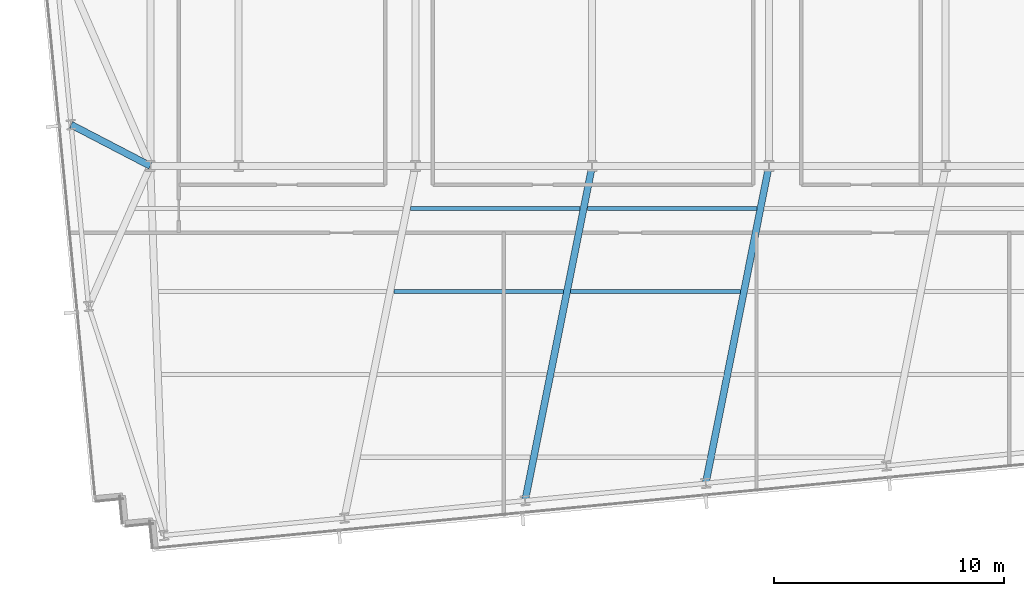
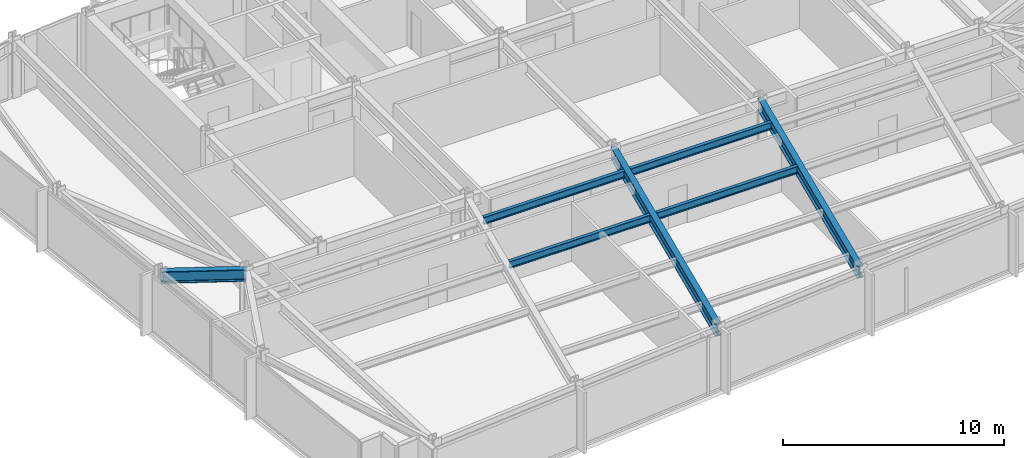
# One storey, part 5 of 32: 7 beams.
"""IFC4 building model written with IfcOpenShell, lengths in metres."""

from ifc_helpers import new_model, si_unit, direction, frame, origin, origin_2d, place, context, subcontext, project, spatial, i_section, extrude, material, material_profile, profile_set, type_object, element, save


model = new_model("IFC4")

# Units and contexts
model_context = context("Model", 3, precision=1e-05, world=origin(), true_north=direction((0.0, 1.0)))
body_context = subcontext(model_context, "Body", "Model", "MODEL_VIEW")
ifc_project = project(units=[si_unit("LENGTHUNIT", "METRE"), si_unit("AREAUNIT", "SQUARE_METRE"), si_unit("VOLUMEUNIT", "CUBIC_METRE"), si_unit("PLANEANGLEUNIT", "RADIAN"), si_unit("MASSUNIT", "GRAM", prefix="KILO")], contexts=[model_context])

# Site, building, storey
site_placement = place(None, origin())
site = spatial("IfcSite", under=ifc_project, at=site_placement, CompositionType="ELEMENT")
building_placement = place(site_placement, origin())
building = spatial("IfcBuilding", under=site, at=building_placement, Name="Yelkora Congress Tower", CompositionType="ELEMENT")
storey_placement = place(building_placement, frame((0.0, 0.0, 96.5)))
storey = spatial("IfcBuildingStorey", under=building, at=storey_placement, Name="L25", CompositionType="ELEMENT", Elevation=96.5)

# Beams
ifc_material = material(Name="Steel S355J2", Category="steel")
ifc_material_profile_1 = material_profile(ifc_material, i_section(OverallWidth=0.300048828125, OverallDepth=0.64990234375, WebThickness=0.01611328125, FlangeThickness=0.031005859375, FilletRadius=0.027099609375, at=origin_2d()), Name="HEB 650")
ifc_profile_set_1 = profile_set([ifc_material_profile_1], Name="Steel S355J2")
beam_type_1 = type_object("IfcBeamType", Name="BM-GIRD-HEB650", PredefinedType="BEAM", material=ifc_profile_set_1)
beam_1_placement = place(storey_placement, frame((35.48486328125, 10.656005859375, 2.85498046875), z_axis=(0.196521264673, 0.980499562739, 0.0), x_axis=(-0.980499562739, 0.196521264673, 0.0)))
element("IfcBeam", 1, at=beam_1_placement, inside=storey, type_object=beam_type_1, Name="L25 Primary Frame Girder S03", PredefinedType="BEAM", context=body_context, shape_type="SweptSolid", body=[
    extrude(i_section(OverallWidth=0.300048828125, OverallDepth=0.64990234375, WebThickness=0.01611328125, FlangeThickness=0.031005859375, FilletRadius=0.027099609375, at=origin_2d()), origin(), (0.0, 0.0, 1.0), 14.833251953125),
])
beam_2_placement = place(storey_placement, frame((43.334228515625, 11.411865234375, 2.85498046875), z_axis=(0.195311238928, 0.980741311432, 0.0), x_axis=(-0.980741311432, 0.195311238928, 0.0)))
element("IfcBeam", 2, at=beam_2_placement, inside=storey, type_object=beam_type_1, Name="L25 Primary Frame Girder S04", PredefinedType="BEAM", context=body_context, shape_type="SweptSolid", body=[
    extrude(i_section(OverallWidth=0.300048828125, OverallDepth=0.64990234375, WebThickness=0.01611328125, FlangeThickness=0.031005859375, FilletRadius=0.027099609375, at=origin_2d()), origin(), (0.0, 0.0, 1.0), 14.058837890625),
])
beam_3_placement = place(storey_placement, frame((15.757080078125, 26.990478515625, 2.85498046875), z_axis=(0.887192078676, -0.461400276912, 0.0), x_axis=(0.461400276912, 0.887192078676, 0.0)))
element("IfcBeam", 3, at=beam_3_placement, inside=storey, type_object=beam_type_1, Name="L25 Primary Frame Girder W02", PredefinedType="BEAM", context=body_context, shape_type="SweptSolid", body=[
    extrude(i_section(OverallWidth=0.300048828125, OverallDepth=0.64990234375, WebThickness=0.01611328125, FlangeThickness=0.031005859375, FilletRadius=0.027099609375, at=origin_2d()), origin(), (0.0, 0.0, 1.0), 3.880615234375),
])
ifc_material_profile_2 = material_profile(ifc_material, i_section(OverallWidth=0.179931640625, OverallDepth=0.39990234375, WebThickness=0.008544921875, FlangeThickness=0.013427734375, FilletRadius=0.02099609375, at=origin_2d()), Name="IPE 400")
ifc_profile_set_2 = profile_set([ifc_material_profile_2], Name="Steel S355J2")
beam_type_2 = type_object("IfcBeamType", Name="BM-JOIST-IPE400", PredefinedType="JOIST", material=ifc_profile_set_2)
beam_4_placement = place(storey_placement, frame((29.780029296875, 19.744384765625, 2.97998046875), z_axis=(1.0, 0.0, 0.0), x_axis=(0.0, 1.0, 0.0)))
element("IfcBeam", 4, at=beam_4_placement, inside=storey, type_object=beam_type_2, Name="L25 Composite Floor Joist 12", PredefinedType="JOIST", context=body_context, shape_type="SweptSolid", body=[
    extrude(i_section(OverallWidth=0.179931640625, OverallDepth=0.39990234375, WebThickness=0.008544921875, FlangeThickness=0.013427734375, FilletRadius=0.02099609375, at=origin_2d()), origin(), (0.0, 0.0, 1.0), 7.366455078125),
])
beam_5_placement = place(storey_placement, frame((37.466552734375, 19.744384765625, 2.97998046875), z_axis=(1.0, 0.0, 0.0), x_axis=(0.0, 1.0, 0.0)))
element("IfcBeam", 5, at=beam_5_placement, inside=storey, type_object=beam_type_2, Name="L25 Composite Floor Joist 13", PredefinedType="JOIST", context=body_context, shape_type="SweptSolid", body=[
    extrude(i_section(OverallWidth=0.179931640625, OverallDepth=0.39990234375, WebThickness=0.008544921875, FlangeThickness=0.013427734375, FilletRadius=0.02099609375, at=origin_2d()), origin(), (0.0, 0.0, 1.0), 7.366943359375),
])
beam_6_placement = place(storey_placement, frame((30.505859375, 23.344482421875, 2.97998046875), z_axis=(1.0, 0.0, 0.0), x_axis=(0.0, 1.0, 0.0)))
element("IfcBeam", 6, at=beam_6_placement, inside=storey, type_object=beam_type_2, Name="L25 Composite Floor Joist 19", PredefinedType="JOIST", context=body_context, shape_type="SweptSolid", body=[
    extrude(i_section(OverallWidth=0.179931640625, OverallDepth=0.39990234375, WebThickness=0.008544921875, FlangeThickness=0.013427734375, FilletRadius=0.02099609375, at=origin_2d()), origin(), (0.0, 0.0, 1.0), 7.3623046875),
])
beam_7_placement = place(storey_placement, frame((38.18798828125, 23.344482421875, 2.97998046875), z_axis=(1.0, 0.0, 0.0), x_axis=(0.0, 1.0, 0.0)))
element("IfcBeam", 7, at=beam_7_placement, inside=storey, type_object=beam_type_2, Name="L25 Composite Floor Joist 20", PredefinedType="JOIST", context=body_context, shape_type="SweptSolid", body=[
    extrude(i_section(OverallWidth=0.179931640625, OverallDepth=0.39990234375, WebThickness=0.008544921875, FlangeThickness=0.013427734375, FilletRadius=0.02099609375, at=origin_2d()), origin(), (0.0, 0.0, 1.0), 7.362548828125),
])

save(model, "model.ifc")
